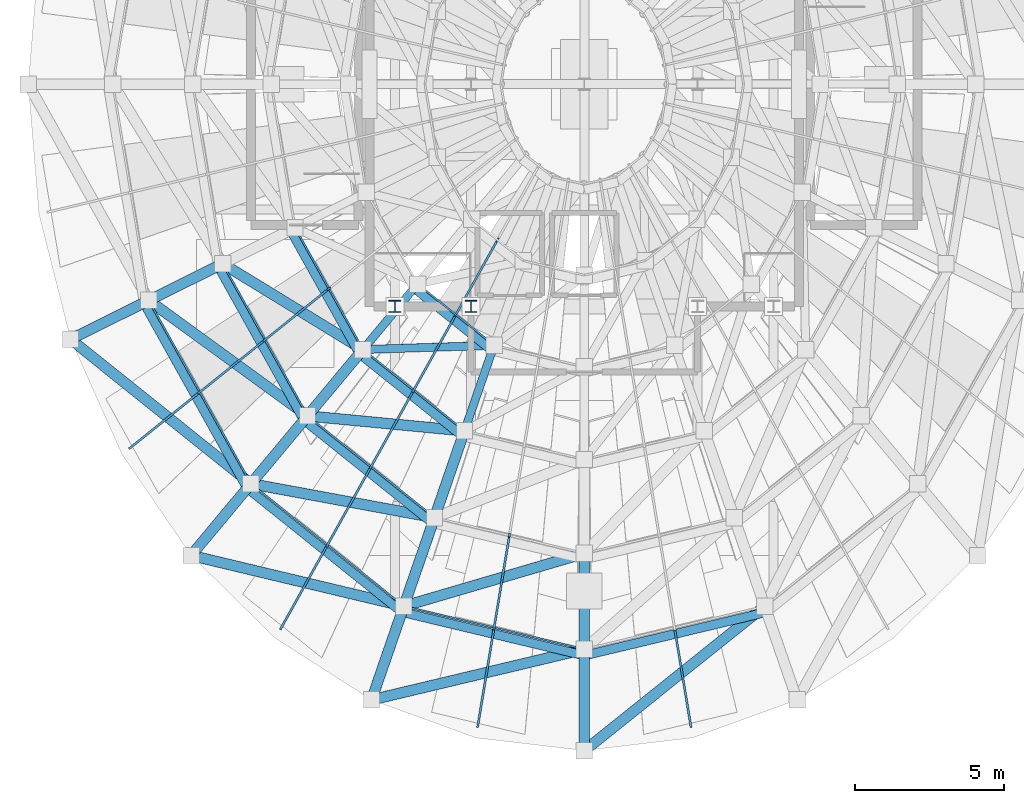
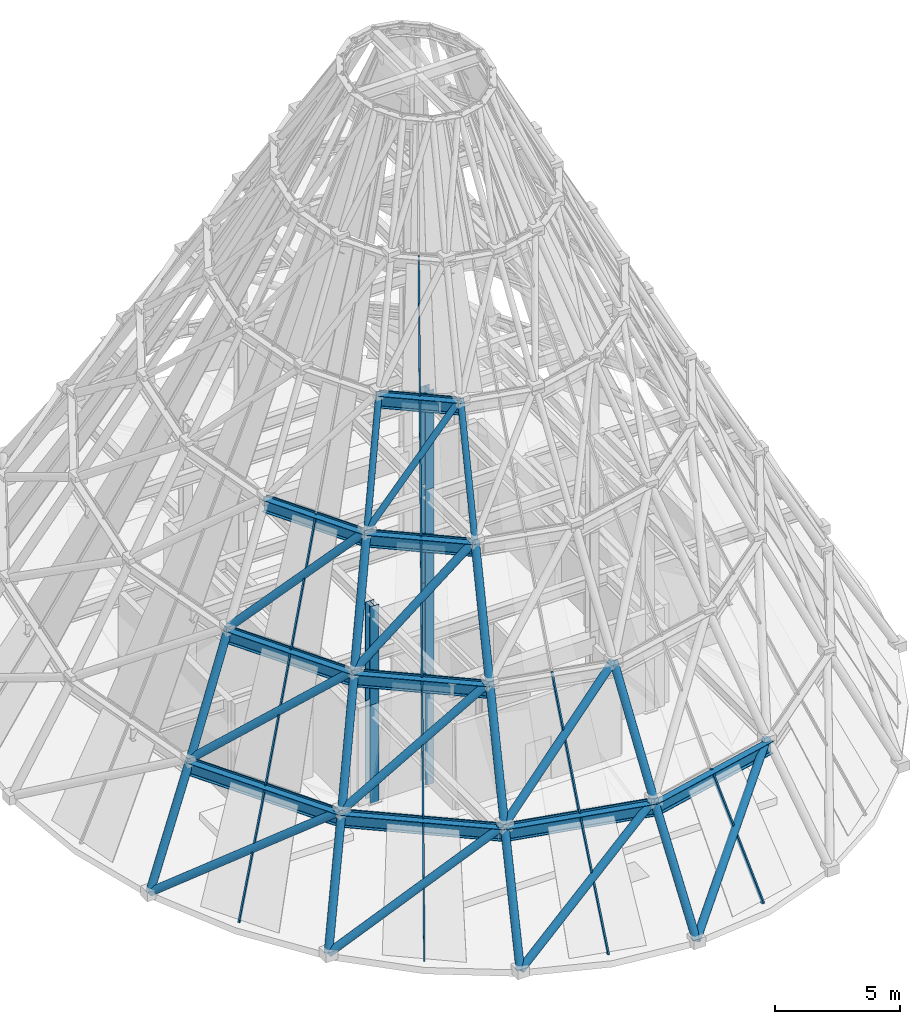
# One storey, part 1 of 16: 47 members, 9 beams, 5 elements without a shape of their own.
"""IFC4 building model written with IfcOpenShell, lengths in metres."""

from ifc_helpers import new_model, si_unit, direction, frame, origin, origin_2d, place, context, subcontext, project, spatial, hollow_rectangle, hollow_circle, i_section, extrude, material, layer, layer_set, material_profile, profile_set, type_object, element, aggregate, save


model = new_model("IFC4")

# Units and contexts
model_context = context("Model", 3, precision=1e-05, world=origin(), true_north=direction((0.0, 1.0)))
body_context = subcontext(model_context, "Body", "Model", "MODEL_VIEW")
ifc_project = project(units=[si_unit("LENGTHUNIT", "METRE"), si_unit("AREAUNIT", "SQUARE_METRE"), si_unit("VOLUMEUNIT", "CUBIC_METRE"), si_unit("PLANEANGLEUNIT", "RADIAN"), si_unit("MASSUNIT", "GRAM", prefix="KILO")], contexts=[model_context])

# Site, building, storey
site_placement = place(None, origin())
site = spatial("IfcSite", under=ifc_project, at=site_placement, CompositionType="ELEMENT")
building_placement = place(site_placement, origin())
building = spatial("IfcBuilding", under=site, at=building_placement, Name="Veldorina Hangang Commons", CompositionType="ELEMENT")
storey_placement = place(building_placement, frame((0.0, 0.0, 308.39990234375)))
storey = spatial("IfcBuildingStorey", under=building, at=storey_placement, Name="Crown", CompositionType="ELEMENT", Elevation=308.39990234375)

# Beams
ifc_material_1 = material(Name="Steel SM460-TMC", Category="steel")
ifc_material_profile_1 = material_profile(ifc_material_1, i_section(OverallWidth=0.300048828125, OverallDepth=0.587890625, WebThickness=0.011962890625, FlangeThickness=0.02001953125, FilletRadius=0.01806640625, at=origin_2d()), Name="H-588x300x12x20")
ifc_profile_set_1 = profile_set([ifc_material_profile_1], Name="Steel SM460-TMC")
beam_type = type_object("IfcBeamType", Name="BM-FG588", PredefinedType="BEAM", material=ifc_profile_set_1)
beam_1_placement = place(storey_placement, frame((17.22802734375, 16.667236328125, 4.5), z_axis=(0.48700541563, -0.873398949591, 0.0), x_axis=(0.873398949591, 0.48700541563, 0.0)))
element("IfcBeam", 1, at=beam_1_placement, inside=storey, type_object=beam_type, Name="Crown tier 1 ring beam 09", PredefinedType="BEAM", context=body_context, shape_type="SweptSolid", body=[
    extrude(i_section(OverallWidth=0.300048828125, OverallDepth=0.587890625, WebThickness=0.011962890625, FlangeThickness=0.02001953125, FilletRadius=0.01806640625, at=origin_2d()), origin(), (0.0, 0.0, 1.0), 7.1171875),
])
beam_2_placement = place(storey_placement, frame((20.694091796875, 10.451171875, 4.5), z_axis=(0.780592742978, -0.62503997441, 0.0), x_axis=(0.62503997441, 0.780592742978, 0.0)))
element("IfcBeam", 2, at=beam_2_placement, inside=storey, type_object=beam_type, Name="Crown tier 1 ring beam 10", PredefinedType="BEAM", context=body_context, shape_type="SweptSolid", body=[
    extrude(i_section(OverallWidth=0.300048828125, OverallDepth=0.587890625, WebThickness=0.011962890625, FlangeThickness=0.02001953125, FilletRadius=0.01806640625, at=origin_2d()), origin(), (0.0, 0.0, 1.0), 6.645263671875),
])
for number, where, z_axis, x_axis, name in (
    (3, (25.88134765625, 6.297607421875, 4.5), (0.972737457446, -0.231909117718, 0.0), (0.231909117718, 0.972737457446, 0.0), "Crown tier 1 ring beam 11"),
    (4, (32.0, 4.8388671875, 4.5), (0.972737457446, 0.231909117718, 0.0), (-0.231909117718, 0.972737457446, 0.0), "Crown tier 1 ring beam 12"),
):
    element("IfcBeam", number, at=place(storey_placement, frame(where, z_axis=z_axis, x_axis=x_axis)), inside=storey, type_object=beam_type, Name=name, PredefinedType="BEAM", context=body_context, shape_type="SweptSolid", body=[
        extrude(i_section(OverallWidth=0.300048828125, OverallDepth=0.587890625, WebThickness=0.011962890625, FlangeThickness=0.02001953125, FilletRadius=0.01806640625, at=origin_2d()), origin(), (0.0, 0.0, 1.0), 6.2900390625),
    ])
beam_3_placement = place(storey_placement, frame((19.716064453125, 17.90234375, 9.300048828125), z_axis=(0.486955766168, -0.873426632177, 0.0), x_axis=(0.873426632177, 0.486955766168, 0.0)))
element("IfcBeam", 5, at=beam_3_placement, inside=storey, type_object=beam_type, Name="Crown tier 2 ring beam 09", PredefinedType="BEAM", context=body_context, shape_type="SweptSolid", body=[
    extrude(i_section(OverallWidth=0.300048828125, OverallDepth=0.587890625, WebThickness=0.011962890625, FlangeThickness=0.02001953125, FilletRadius=0.01806640625, at=origin_2d()), origin(), (0.0, 0.0, 1.0), 5.91845703125),
])
beam_4_placement = place(storey_placement, frame((22.59814453125, 12.73291015625, 9.300048828125), z_axis=(0.780592886021, -0.625039795768, 0.0), x_axis=(0.625039795768, 0.780592886021, 0.0)))
element("IfcBeam", 6, at=beam_4_placement, inside=storey, type_object=beam_type, Name="Crown tier 2 ring beam 10", PredefinedType="BEAM", context=body_context, shape_type="SweptSolid", body=[
    extrude(i_section(OverallWidth=0.300048828125, OverallDepth=0.587890625, WebThickness=0.011962890625, FlangeThickness=0.02001953125, FilletRadius=0.01806640625, at=origin_2d()), origin(), (0.0, 0.0, 1.0), 5.526123046875),
])
beam_5_placement = place(storey_placement, frame((22.146728515625, 19.10888671875, 14.10009765625), z_axis=(0.486956666645, -0.873426130139, 0.0), x_axis=(0.873426130139, 0.486956666645, 0.0)))
element("IfcBeam", 7, at=beam_5_placement, inside=storey, type_object=beam_type, Name="Crown tier 3 ring beam 09", PredefinedType="BEAM", context=body_context, shape_type="SweptSolid", body=[
    extrude(i_section(OverallWidth=0.300048828125, OverallDepth=0.587890625, WebThickness=0.011962890625, FlangeThickness=0.02001953125, FilletRadius=0.01806640625, at=origin_2d()), origin(), (0.0, 0.0, 1.0), 4.747314453125),
])
beam_6_placement = place(storey_placement, frame((24.45849609375, 14.96240234375, 14.10009765625), z_axis=(0.780610819839, -0.625017398118, 0.0), x_axis=(0.625017398118, 0.780610819839, 0.0)))
element("IfcBeam", 8, at=beam_6_placement, inside=storey, type_object=beam_type, Name="Crown tier 3 ring beam 10", PredefinedType="BEAM", context=body_context, shape_type="SweptSolid", body=[
    extrude(i_section(OverallWidth=0.300048828125, OverallDepth=0.587890625, WebThickness=0.011962890625, FlangeThickness=0.02001953125, FilletRadius=0.01806640625, at=origin_2d()), origin(), (0.0, 0.0, 1.0), 4.4326171875),
])
beam_7_placement = place(storey_placement, frame((26.29296875, 17.160888671875, 18.900146484375), z_axis=(0.780584702233, -0.62505001611, 0.0), x_axis=(0.62505001611, 0.780584702233, 0.0)))
element("IfcBeam", 9, at=beam_7_placement, inside=storey, type_object=beam_type, Name="Crown tier 4 ring beam 10", PredefinedType="BEAM", context=body_context, shape_type="SweptSolid", body=[
    extrude(i_section(OverallWidth=0.300048828125, OverallDepth=0.587890625, WebThickness=0.011962890625, FlangeThickness=0.02001953125, FilletRadius=0.01806640625, at=origin_2d()), origin(), (0.0, 0.0, 1.0), 3.3544921875),
])

# Members
ifc_material_profile_2 = material_profile(ifc_material_1, i_section(OverallWidth=0.39990234375, OverallDepth=0.39990234375, WebThickness=0.012939453125, FlangeThickness=0.02099609375, FilletRadius=0.01806640625, at=origin_2d()), Name="H-400x400x13x21")
ifc_profile_set_2 = profile_set([ifc_material_profile_2], Name="Steel SM460-TMC")
member_type_1 = type_object("IfcMemberType", Name="CRN-POST-H400", PredefinedType="BRACE", material=ifc_profile_set_2)
for number, where, z_axis, x_axis, name in (
    (10, (25.64990234375, 16.550048828125, 0.0), (0.0, 0.0, 1.0), (1.0, 0.0, 0.0), "Crown tier 1 outer core post SW"),
    (11, (28.199951171875, 16.550048828125, 0.0), (0.0, 0.0, 1.0), (1.0, 0.0, 0.0), "Crown tier 1 inner core post ISW"),
    (12, (25.64990234375, 16.550048828125, 4.800048828125), (0.0, 0.0, 1.0), (1.0, 0.0, 0.0), "Crown tier 2 outer core post SW"),
    (13, (28.199951171875, 16.550048828125, 4.800048828125), (0.0, 0.0, 1.0), (1.0, 0.0, 0.0), "Crown tier 2 inner core post ISW"),
    (14, (28.199951171875, 16.550048828125, 9.60009765625), (0.0, 0.0, 1.0), (1.0, 0.0, 0.0), "Crown tier 3 inner core post ISW"),
    (15, (28.199951171875, 16.550048828125, 14.400146484375), (0.0, 0.0, 1.0), (1.0, 0.0, 0.0), "Crown tier 4 inner core post ISW"),
):
    element("IfcMember", number, at=place(storey_placement, frame(where, z_axis=z_axis, x_axis=x_axis)), inside=storey, type_object=member_type_1, Name=name, PredefinedType="BRACE", context=body_context, shape_type="SweptSolid", body=[
        extrude(i_section(OverallWidth=0.39990234375, OverallDepth=0.39990234375, WebThickness=0.012939453125, FlangeThickness=0.02099609375, FilletRadius=0.01806640625, at=origin_2d()), origin(), (0.0, 0.0, 1.0), 4.800048828125),
    ])
ifc_material_2 = material(Name="Steel SM355-TMC", Category="steel")
ifc_material_profile_3 = material_profile(ifc_material_2, hollow_circle(Radius=0.136474609375, WallThickness=0.011962890625, at=origin_2d()), Name="CHS-273.0x12")
ifc_profile_set_3 = profile_set([ifc_material_profile_3], Name="Steel SM355-TMC")
member_type_2 = type_object("IfcMemberType", Name="CRN-RIB273", PredefinedType="BRACE", material=ifc_profile_set_3)
member_1_placement = place(storey_placement, frame((24.57470703125, 15.1015625, 14.400146484375), z_axis=(0.328028884835, 0.393084160477, 0.859000520079), x_axis=(-0.767780420949, 0.640713059963, 0.0)))
element("IfcMember", 16, at=member_1_placement, inside=storey, type_object=member_type_2, Name="Crown tier 4 CROWN FRAME meridian rib 10", PredefinedType="BRACE", context=body_context, shape_type="SweptSolid", body=[
    extrude(hollow_circle(Radius=0.136474609375, WallThickness=0.011962890625, at=origin_2d()), origin(), (0.0, 0.0, 1.0), 5.587890625),
])
member_2_placement = place(storey_placement, frame((24.57470703125, 15.1015625, 14.400146484375), z_axis=(0.675450014447, 0.021818943687, 0.737082906924), x_axis=(-0.032285984733, 0.999478671703, 0.0)))
element("IfcMember", 17, at=member_2_placement, inside=storey, type_object=member_type_2, Name="Crown tier 4 CROWN FRAME diagrid brace 10", PredefinedType="BRACE", context=body_context, shape_type="SweptSolid", body=[
    extrude(hollow_circle(Radius=0.136474609375, WallThickness=0.011962890625, at=origin_2d()), origin(), (0.0, 0.0, 1.0), 6.51220703125),
])
member_3_placement = place(storey_placement, frame((27.9814453125, 12.373779296875, 14.400146484375), z_axis=(0.174642809834, 0.505273499779, 0.845102703459), x_axis=(-0.945136052308, 0.326676969845, 0.0)))
element("IfcMember", 18, at=member_3_placement, inside=storey, type_object=member_type_2, Name="Crown tier 4 CROWN FRAME meridian rib 11", PredefinedType="BRACE", context=body_context, shape_type="SweptSolid", body=[
    extrude(hollow_circle(Radius=0.136474609375, WallThickness=0.011962890625, at=origin_2d()), origin(), (0.0, 0.0, 1.0), 5.679931640625),
])
ifc_material_profile_4 = material_profile(ifc_material_2, hollow_circle(Radius=0.177734375, WallThickness=0.01611328125, at=origin_2d()), Name="CHS-355.6x16")
ifc_profile_set_4 = profile_set([ifc_material_profile_4], Name="Steel SM355-TMC")
member_type_3 = type_object("IfcMemberType", Name="CRN-RIB355", PredefinedType="BRACE", material=ifc_profile_set_4)
member_4_placement = place(storey_placement, frame((14.76953125, 15.447021484375, 0.0), z_axis=(0.46643736726, 0.231525232008, 0.853716726653), x_axis=(-0.444610084266, 0.895724217027, 0.0)))
element("IfcMember", 19, at=member_4_placement, inside=storey, type_object=member_type_3, Name="Crown tier 1 CROWN FRAME meridian rib 09", PredefinedType="BRACE", context=body_context, shape_type="SweptSolid", body=[
    extrude(hollow_circle(Radius=0.177734375, WallThickness=0.01611328125, at=origin_2d()), origin(), (0.0, 0.0, 1.0), 5.62255859375),
])
member_5_placement = place(storey_placement, frame((14.76953125, 15.447021484375, 0.0), z_axis=(0.663582038521, -0.531486877066, 0.526479418077), x_axis=(0.62514050466, 0.780512235287, 0.0)))
element("IfcMember", 20, at=member_5_placement, inside=storey, type_object=member_type_3, Name="Crown tier 1 CROWN FRAME diagrid brace 09", PredefinedType="BRACE", context=body_context, shape_type="SweptSolid", body=[
    extrude(hollow_circle(Radius=0.177734375, WallThickness=0.01611328125, at=origin_2d()), origin(), (0.0, 0.0, 1.0), 9.1171875),
])
member_6_placement = place(storey_placement, frame((18.8125, 8.1962890625, 0.0), z_axis=(0.350168559507, 0.419597430934, 0.837448491482), x_axis=(-0.767767513013, 0.640728527508, 0.0)))
element("IfcMember", 21, at=member_6_placement, inside=storey, type_object=member_type_3, Name="Crown tier 1 CROWN FRAME meridian rib 10", PredefinedType="BRACE", context=body_context, shape_type="SweptSolid", body=[
    extrude(hollow_circle(Radius=0.177734375, WallThickness=0.01611328125, at=origin_2d()), origin(), (0.0, 0.0, 1.0), 5.731689453125),
])
member_7_placement = place(storey_placement, frame((18.8125, 8.1962890625, 0.0), z_axis=(0.813984788698, -0.194167895853, 0.547473827675), x_axis=(0.232029880817, 0.972708658545, 0.0)))
element("IfcMember", 22, at=member_7_placement, inside=storey, type_object=member_type_3, Name="Crown tier 1 CROWN FRAME diagrid brace 10", PredefinedType="BRACE", context=body_context, shape_type="SweptSolid", body=[
    extrude(hollow_circle(Radius=0.177734375, WallThickness=0.01611328125, at=origin_2d()), origin(), (0.0, 0.0, 1.0), 8.767578125),
])
member_8_placement = place(storey_placement, frame((24.863037109375, 3.351318359375, 0.0), z_axis=(0.186016034255, 0.538187995712, 0.822041188914), x_axis=(-0.945137867095, 0.32667171929, 0.0)))
element("IfcMember", 23, at=member_8_placement, inside=storey, type_object=member_type_3, Name="Crown tier 1 CROWN FRAME meridian rib 11", PredefinedType="BRACE", context=body_context, shape_type="SweptSolid", body=[
    extrude(hollow_circle(Radius=0.177734375, WallThickness=0.01611328125, at=origin_2d()), origin(), (0.0, 0.0, 1.0), 5.839111328125),
])
member_9_placement = place(storey_placement, frame((24.863037109375, 3.351318359375, 0.0), z_axis=(0.814033769308, 0.19392231962, 0.547488042225), x_axis=(-0.231738993525, 0.97277800082, 0.0)))
element("IfcMember", 24, at=member_9_placement, inside=storey, type_object=member_type_3, Name="Crown tier 1 CROWN FRAME diagrid brace 11", PredefinedType="BRACE", context=body_context, shape_type="SweptSolid", body=[
    extrude(hollow_circle(Radius=0.177734375, WallThickness=0.01611328125, at=origin_2d()), origin(), (0.0, 0.0, 1.0), 8.767333984375),
])
member_10_placement = place(storey_placement, frame((32.0, 1.64990234375, 0.0), z_axis=(0.0, 0.578195793628, 0.815898047694), x_axis=(-1.0, 0.0, 0.0)))
element("IfcMember", 25, at=member_10_placement, inside=storey, type_object=member_type_3, Name="Crown tier 1 CROWN FRAME meridian rib 12", PredefinedType="BRACE", context=body_context, shape_type="SweptSolid", body=[
    extrude(hollow_circle(Radius=0.177734375, WallThickness=0.01611328125, at=origin_2d()), origin(), (0.0, 0.0, 1.0), 5.883056640625),
])
member_11_placement = place(storey_placement, frame((32.0, 1.64990234375, 0.0), z_axis=(0.663693099032, 0.531324030742, 0.526503793579), x_axis=(-0.62496005921, 0.780656726348, 0.0)))
element("IfcMember", 26, at=member_11_placement, inside=storey, type_object=member_type_3, Name="Crown tier 1 CROWN FRAME diagrid brace 12", PredefinedType="BRACE", context=body_context, shape_type="SweptSolid", body=[
    extrude(hollow_circle(Radius=0.177734375, WallThickness=0.01611328125, at=origin_2d()), origin(), (0.0, 0.0, 1.0), 9.116943359375),
])
member_12_placement = place(storey_placement, frame((17.39208984375, 16.748779296875, 4.800048828125), z_axis=(0.447377291638, 0.222080325998, 0.866333589174), x_axis=(-0.444635676807, 0.895711513218, 0.0)))
element("IfcMember", 27, at=member_12_placement, inside=storey, type_object=member_type_3, Name="Crown tier 2 CROWN FRAME meridian rib 09", PredefinedType="BRACE", context=body_context, shape_type="SweptSolid", body=[
    extrude(hollow_circle(Radius=0.177734375, WallThickness=0.01611328125, at=origin_2d()), origin(), (0.0, 0.0, 1.0), 5.54052734375),
])
member_13_placement = place(storey_placement, frame((17.39208984375, 16.748779296875, 4.800048828125), z_axis=(0.653453203163, -0.475393946565, 0.589066640412), x_axis=(0.588297350815, 0.808644685276, 0.0)))
element("IfcMember", 28, at=member_13_placement, inside=storey, type_object=member_type_3, Name="Crown tier 2 CROWN FRAME diagrid brace 09", PredefinedType="BRACE", context=body_context, shape_type="SweptSolid", body=[
    extrude(hollow_circle(Radius=0.177734375, WallThickness=0.01611328125, at=origin_2d()), origin(), (0.0, 0.0, 1.0), 8.148681640625),
])
member_14_placement = place(storey_placement, frame((20.819580078125, 10.601318359375, 4.800048828125), z_axis=(0.336386334792, 0.40313549555, 0.85107344336), x_axis=(-0.767808896081, 0.640678936051, 0.0)))
element("IfcMember", 29, at=member_14_placement, inside=storey, type_object=member_type_3, Name="Crown tier 2 CROWN FRAME meridian rib 10", PredefinedType="BRACE", context=body_context, shape_type="SweptSolid", body=[
    extrude(hollow_circle(Radius=0.177734375, WallThickness=0.01611328125, at=origin_2d()), origin(), (0.0, 0.0, 1.0), 5.639892578125),
])
member_15_placement = place(storey_placement, frame((20.819580078125, 10.601318359375, 4.800048828125), z_axis=(0.780397841349, -0.144090587672, 0.608454691627), x_axis=(0.181568365692, 0.983378324237, 0.0)))
element("IfcMember", 30, at=member_15_placement, inside=storey, type_object=member_type_3, Name="Crown tier 2 CROWN FRAME diagrid brace 10", PredefinedType="BRACE", context=body_context, shape_type="SweptSolid", body=[
    extrude(hollow_circle(Radius=0.177734375, WallThickness=0.01611328125, at=origin_2d()), origin(), (0.0, 0.0, 1.0), 7.888916015625),
])
member_16_placement = place(storey_placement, frame((25.94921875, 6.493896484375, 4.800048828125), z_axis=(0.17896971746, 0.517761179755, 0.836596199472), x_axis=(-0.94513004186, 0.326694358651, 0.0)))
element("IfcMember", 31, at=member_16_placement, inside=storey, type_object=member_type_3, Name="Crown tier 2 CROWN FRAME meridian rib 11", PredefinedType="BRACE", context=body_context, shape_type="SweptSolid", body=[
    extrude(hollow_circle(Radius=0.177734375, WallThickness=0.01611328125, at=origin_2d()), origin(), (0.0, 0.0, 1.0), 5.737548828125),
])
member_17_placement = place(storey_placement, frame((25.94921875, 6.493896484375, 4.800048828125), z_axis=(0.763560157241, 0.223762807539, 0.605727737714), x_axis=(-0.28122494162, 0.959641877062, 0.0)))
element("IfcMember", 32, at=member_17_placement, inside=storey, type_object=member_type_3, Name="Crown tier 2 CROWN FRAME diagrid brace 11", PredefinedType="BRACE", context=body_context, shape_type="SweptSolid", body=[
    extrude(hollow_circle(Radius=0.177734375, WallThickness=0.01611328125, at=origin_2d()), origin(), (0.0, 0.0, 1.0), 7.92431640625),
])
member_18_placement = place(storey_placement, frame((32.0, 5.051513671875, 4.800048828125), z_axis=(0.0, 0.556561346257, 0.830806516496), x_axis=(-1.0, 0.0, 0.0)))
element("IfcMember", 33, at=member_18_placement, inside=storey, type_object=member_type_3, Name="Crown tier 2 CROWN FRAME meridian rib 12", PredefinedType="BRACE", context=body_context, shape_type="SweptSolid", body=[
    extrude(hollow_circle(Radius=0.177734375, WallThickness=0.01611328125, at=origin_2d()), origin(), (0.0, 0.0, 1.0), 5.777587890625),
])
member_19_placement = place(storey_placement, frame((19.870849609375, 17.979248046875, 9.60009765625), z_axis=(0.643412007407, -0.393621079115, 0.656569444005), x_axis=(0.521860057708, 0.853031113248, 0.0)))
element("IfcMember", 34, at=member_19_placement, inside=storey, type_object=member_type_3, Name="Crown tier 3 CROWN FRAME diagrid brace 09", PredefinedType="BRACE", context=body_context, shape_type="SweptSolid", body=[
    extrude(hollow_circle(Radius=0.177734375, WallThickness=0.01611328125, at=origin_2d()), origin(), (0.0, 0.0, 1.0), 7.310791015625),
])
member_20_placement = place(storey_placement, frame((22.716796875, 12.875, 9.60009765625), z_axis=(0.331295255321, 0.397031895995, 0.855925888944), x_axis=(-0.767807072832, 0.64068112108, 0.0)))
element("IfcMember", 35, at=member_20_placement, inside=storey, type_object=member_type_3, Name="Crown tier 3 CROWN FRAME meridian rib 10", PredefinedType="BRACE", context=body_context, shape_type="SweptSolid", body=[
    extrude(hollow_circle(Radius=0.177734375, WallThickness=0.01611328125, at=origin_2d()), origin(), (0.0, 0.0, 1.0), 5.60791015625),
])
member_21_placement = place(storey_placement, frame((22.716796875, 12.875, 9.60009765625), z_axis=(0.737138875835, -0.07017928548, 0.672087156269), x_axis=(0.094776414096, 0.995498584294, 0.0)))
element("IfcMember", 36, at=member_21_placement, inside=storey, type_object=member_type_3, Name="Crown tier 3 CROWN FRAME diagrid brace 10", PredefinedType="BRACE", context=body_context, shape_type="SweptSolid", body=[
    extrude(hollow_circle(Radius=0.177734375, WallThickness=0.01611328125, at=origin_2d()), origin(), (0.0, 0.0, 1.0), 7.14208984375),
])
member_22_placement = place(storey_placement, frame((26.97607421875, 9.464599609375, 9.60009765625), z_axis=(0.176314249131, 0.510189556253, 0.841795641616), x_axis=(-0.94515192212, 0.326631051971, 0.0)))
element("IfcMember", 37, at=member_22_placement, inside=storey, type_object=member_type_3, Name="Crown tier 3 CROWN FRAME meridian rib 11", PredefinedType="BRACE", context=body_context, shape_type="SweptSolid", body=[
    extrude(hollow_circle(Radius=0.177734375, WallThickness=0.01611328125, at=origin_2d()), origin(), (0.0, 0.0, 1.0), 5.7021484375),
])

# Curtain wall, members
ifc_material_3 = material(Name="Glass Low-Iron Laminated", Category="glass")
ifc_layer = layer(ifc_material_3, 0.179931640625)
ifc_layer_set = layer_set([ifc_layer], Name="Glass Low-Iron Laminated")
curtain_wall_type = type_object("IfcCurtainWallType", Name="CW-SYS-CRN", PredefinedType="NOTDEFINED", material=ifc_layer_set)
curtain_wall_1_placement = place(storey_placement, origin())
curtain_wall_1 = element("IfcCurtainWall", 38, at=curtain_wall_1_placement, inside=storey, type_object=curtain_wall_type, Name="Crown glass-point sloped pyramidal curtain wall tier 1", PredefinedType="NOTDEFINED")
ifc_material_4 = material(Name="Aluminium Anodized AA6063-T6", Category="aluminium")
ifc_material_profile_5 = material_profile(ifc_material_4, hollow_rectangle(XDim=0.070068359375, YDim=0.179931640625, WallThickness=0.00390625, at=origin_2d()), Name="ALU-RHS-180x70x4")
ifc_profile_set_5 = profile_set([ifc_material_profile_5], Name="Aluminium Anodized AA6063-T6")
member_type_4 = type_object("IfcMemberType", Name="CW-MUL-180", PredefinedType="MULLION", material=ifc_profile_set_5)
member_23_placement = place(storey_placement, frame((16.791015625, 11.821533203125, 0.0), z_axis=(0.410251211856, 0.32851251982, 0.850748768728), x_axis=(-0.625056433501, 0.780579563491, 0.0)))
member_23 = element("IfcMember", 39, at=member_23_placement, type_object=member_type_4, Name="CW-CRN-T1 sloped mid-facet mullion 10", PredefinedType="MULLION", context=body_context, shape_type="SweptSolid", body=[
    extrude(hollow_rectangle(XDim=0.070068359375, YDim=0.179931640625, WallThickness=0.00390625, at=origin_2d()), origin(), (0.0, 0.0, 1.0), 5.64208984375),
])
member_24_placement = place(storey_placement, frame((21.837646484375, 5.773681640625, 0.0), z_axis=(0.268755836906, 0.48194504718, 0.833965989491), x_axis=(-0.873380223306, 0.487038997964, 0.0)))
member_24 = element("IfcMember", 40, at=member_24_placement, type_object=member_type_4, Name="CW-CRN-T1 sloped mid-facet mullion 11", PredefinedType="MULLION", context=body_context, shape_type="SweptSolid", body=[
    extrude(hollow_rectangle(XDim=0.070068359375, YDim=0.179931640625, WallThickness=0.00390625, at=origin_2d()), origin(), (0.0, 0.0, 1.0), 5.755615234375),
])
member_25_placement = place(storey_placement, frame((28.431396484375, 2.500732421875, 0.0), z_axis=(0.093103638593, 0.560797736822, 0.82270141051), x_axis=(-0.986497177914, 0.163778258533, 0.0)))
member_25 = element("IfcMember", 41, at=member_25_placement, type_object=member_type_4, Name="CW-CRN-T1 sloped mid-facet mullion 12", PredefinedType="MULLION", context=body_context, shape_type="SweptSolid", body=[
    extrude(hollow_rectangle(XDim=0.070068359375, YDim=0.179931640625, WallThickness=0.00390625, at=origin_2d()), origin(), (0.0, 0.0, 1.0), 5.83447265625),
])
member_26_placement = place(storey_placement, frame((35.568603515625, 2.500732421875, 0.0), z_axis=(-0.093103638593, 0.560797736822, 0.82270141051), x_axis=(-0.986497177914, -0.163778258533, 0.0)))
member_26 = element("IfcMember", 42, at=member_26_placement, type_object=member_type_4, Name="CW-CRN-T1 sloped mid-facet mullion 13", PredefinedType="MULLION", context=body_context, shape_type="SweptSolid", body=[
    extrude(hollow_rectangle(XDim=0.070068359375, YDim=0.179931640625, WallThickness=0.00390625, at=origin_2d()), origin(), (0.0, 0.0, 1.0), 5.83447265625),
])

curtain_wall_2_placement = place(storey_placement, origin())
curtain_wall_2 = element("IfcCurtainWall", 43, at=curtain_wall_2_placement, inside=storey, type_object=curtain_wall_type, Name="Crown glass-point sloped pyramidal curtain wall tier 2", PredefinedType="NOTDEFINED")
member_27_placement = place(storey_placement, frame((19.105712890625, 13.675048828125, 4.800048828125), z_axis=(0.39362812705, 0.315183601842, 0.863548605884), x_axis=(-0.625034893689, 0.78059681121, 0.0)))
member_27 = element("IfcMember", 44, at=member_27_placement, type_object=member_type_4, Name="CW-CRN-T2 sloped mid-facet mullion 10", PredefinedType="MULLION", context=body_context, shape_type="SweptSolid", body=[
    extrude(hollow_rectangle(XDim=0.070068359375, YDim=0.179931640625, WallThickness=0.00390625, at=origin_2d()), origin(), (0.0, 0.0, 1.0), 5.55859375),
])
member_28_placement = place(storey_placement, frame((23.384521484375, 8.547607421875, 4.800048828125), z_axis=(0.258213776392, 0.46317203945, 0.847819147904), x_axis=(-0.873439034538, 0.486933520046, 0.0)))
member_28 = element("IfcMember", 45, at=member_28_placement, type_object=member_type_4, Name="CW-CRN-T2 sloped mid-facet mullion 11", PredefinedType="MULLION", context=body_context, shape_type="SweptSolid", body=[
    extrude(hollow_rectangle(XDim=0.070068359375, YDim=0.179931640625, WallThickness=0.00390625, at=origin_2d()), origin(), (0.0, 0.0, 1.0), 5.66162109375),
])
member_29_placement = place(storey_placement, frame((28.974609375, 5.772705078125, 4.800048828125), z_axis=(0.089551725769, 0.539482079778, 0.83722134111), x_axis=(-0.986501044241, 0.163754968509, 0.0)))
member_29 = element("IfcMember", 46, at=member_29_placement, type_object=member_type_4, Name="CW-CRN-T2 sloped mid-facet mullion 12", PredefinedType="MULLION", context=body_context, shape_type="SweptSolid", body=[
    extrude(hollow_rectangle(XDim=0.070068359375, YDim=0.179931640625, WallThickness=0.00390625, at=origin_2d()), origin(), (0.0, 0.0, 1.0), 5.7333984375),
])

curtain_wall_3_placement = place(storey_placement, origin())
curtain_wall_3 = element("IfcCurtainWall", 47, at=curtain_wall_3_placement, inside=storey, type_object=curtain_wall_type, Name="Crown glass-point sloped pyramidal curtain wall tier 3", PredefinedType="NOTDEFINED")
member_30_placement = place(storey_placement, frame((21.293701171875, 15.427001953125, 9.60009765625), z_axis=(0.387520273629, 0.310298790368, 0.86806837186), x_axis=(-0.625042053082, 0.780591078529, 0.0)))
member_30 = element("IfcMember", 48, at=member_30_placement, type_object=member_type_4, Name="CW-CRN-T3 sloped mid-facet mullion 10", PredefinedType="MULLION", context=body_context, shape_type="SweptSolid", body=[
    extrude(hollow_rectangle(XDim=0.070068359375, YDim=0.179931640625, WallThickness=0.00390625, at=origin_2d()), origin(), (0.0, 0.0, 1.0), 5.529541015625),
])
member_31_placement = place(storey_placement, frame((24.846435546875, 11.169921875, 9.60009765625), z_axis=(0.254344545809, 0.456163299502, 0.852774235191), x_axis=(-0.87340802986, 0.486989130655, 0.0)))
member_31 = element("IfcMember", 49, at=member_31_placement, type_object=member_type_4, Name="CW-CRN-T3 sloped mid-facet mullion 11", PredefinedType="MULLION", context=body_context, shape_type="SweptSolid", body=[
    extrude(hollow_rectangle(XDim=0.070068359375, YDim=0.179931640625, WallThickness=0.00390625, at=origin_2d()), origin(), (0.0, 0.0, 1.0), 5.628662109375),
])

# Curtain wall, member
curtain_wall_4_placement = place(storey_placement, origin())
curtain_wall_4 = element("IfcCurtainWall", 50, at=curtain_wall_4_placement, inside=storey, type_object=curtain_wall_type, Name="Crown glass-point sloped pyramidal curtain wall tier 4", PredefinedType="NOTDEFINED")
member_32_placement = place(storey_placement, frame((26.278076171875, 13.737548828125, 14.400146484375), z_axis=(0.251830581641, 0.451727907638, 0.855875724397), x_axis=(-0.873441670834, 0.486928791151, 0.0)))
member_32 = element("IfcMember", 51, at=member_32_placement, type_object=member_type_4, Name="CW-CRN-T4 sloped mid-facet mullion 11", PredefinedType="MULLION", context=body_context, shape_type="SweptSolid", body=[
    extrude(hollow_rectangle(XDim=0.070068359375, YDim=0.179931640625, WallThickness=0.00390625, at=origin_2d()), origin(), (0.0, 0.0, 1.0), 5.6083984375),
])

curtain_wall_5_placement = place(storey_placement, origin())
curtain_wall_5 = element("IfcCurtainWall", 52, at=curtain_wall_5_placement, inside=storey, type_object=curtain_wall_type, Name="Crown glass-point sloped pyramidal curtain wall tier 5", PredefinedType="NOTDEFINED")
member_33_placement = place(storey_placement, frame((27.6904296875, 16.27099609375, 19.2001953125), z_axis=(0.249992590984, 0.448345364414, 0.85819003645), x_axis=(-0.873402131722, 0.486999708731, 0.0)))
member_33 = element("IfcMember", 53, at=member_33_placement, type_object=member_type_4, Name="CW-CRN-T5 sloped mid-facet mullion 11", PredefinedType="MULLION", context=body_context, shape_type="SweptSolid", body=[
    extrude(hollow_rectangle(XDim=0.070068359375, YDim=0.179931640625, WallThickness=0.00390625, at=origin_2d()), origin(), (0.0, 0.0, 1.0), 5.593017578125),
])
aggregate(curtain_wall_5, [member_33])

# Member
ifc_material_profile_6 = material_profile(ifc_material_4, hollow_rectangle(XDim=0.06005859375, YDim=0.139892578125, WallThickness=0.00341796875, at=origin_2d()), Name="ALU-RHS-140x60x3.5")
ifc_profile_set_6 = profile_set([ifc_material_profile_6], Name="Aluminium Anodized AA6063-T6")
member_type_5 = type_object("IfcMemberType", Name="CW-TRN-140", PredefinedType="USERDEFINED", material=ifc_profile_set_6)
member_34_placement = place(storey_placement, frame((17.39208984375, 16.748779296875, 4.800048828125), z_axis=(0.4869706204, -0.873418350429, 0.0), x_axis=(0.873418350429, 0.4869706204, 0.0)))
member_34 = element("IfcMember", 54, at=member_34_placement, type_object=member_type_5, Name="CW-CRN-T1 horizontal ring transom 10", ObjectType="TRANSOM", PredefinedType="USERDEFINED", context=body_context, shape_type="SweptSolid", body=[
    extrude(hollow_rectangle(XDim=0.06005859375, YDim=0.139892578125, WallThickness=0.00341796875, at=origin_2d()), origin(), (0.0, 0.0, 1.0), 7.038330078125),
])

member_35_placement = place(storey_placement, frame((20.819580078125, 10.601318359375, 4.800048828125), z_axis=(0.78059326765, -0.625039319163, 0.0), x_axis=(0.625039319163, 0.78059326765, 0.0)))
member_35 = element("IfcMember", 55, at=member_35_placement, type_object=member_type_5, Name="CW-CRN-T1 horizontal ring transom 11", ObjectType="TRANSOM", PredefinedType="USERDEFINED", context=body_context, shape_type="SweptSolid", body=[
    extrude(hollow_rectangle(XDim=0.06005859375, YDim=0.139892578125, WallThickness=0.00341796875, at=origin_2d()), origin(), (0.0, 0.0, 1.0), 6.571533203125),
])

member_36_placement = place(storey_placement, frame((25.94921875, 6.493896484375, 4.800048828125), z_axis=(0.972743852943, -0.231882290316, 0.0), x_axis=(0.231882290316, 0.972743852943, 0.0)))
member_36 = element("IfcMember", 56, at=member_36_placement, type_object=member_type_5, Name="CW-CRN-T1 horizontal ring transom 12", ObjectType="TRANSOM", PredefinedType="USERDEFINED", context=body_context, shape_type="SweptSolid", body=[
    extrude(hollow_rectangle(XDim=0.06005859375, YDim=0.139892578125, WallThickness=0.00341796875, at=origin_2d()), origin(), (0.0, 0.0, 1.0), 6.22021484375),
])

aggregate(curtain_wall_1, [member_23, member_34, member_24, member_35, member_25, member_36, member_26])

member_37_placement = place(storey_placement, frame((19.870849609375, 17.979248046875, 9.60009765625), z_axis=(0.486983133901, -0.873411373464, 0.0), x_axis=(0.873411373464, 0.486983133901, 0.0)))
member_37 = element("IfcMember", 57, at=member_37_placement, type_object=member_type_5, Name="CW-CRN-T2 horizontal ring transom 10", ObjectType="TRANSOM", PredefinedType="USERDEFINED", context=body_context, shape_type="SweptSolid", body=[
    extrude(hollow_rectangle(XDim=0.06005859375, YDim=0.139892578125, WallThickness=0.00341796875, at=origin_2d()), origin(), (0.0, 0.0, 1.0), 5.843994140625),
])

member_38_placement = place(storey_placement, frame((22.716796875, 12.875, 9.60009765625), z_axis=(0.780602457603, -0.625027841927, 0.0), x_axis=(0.625027841927, 0.780602457603, 0.0)))
member_38 = element("IfcMember", 58, at=member_38_placement, type_object=member_type_5, Name="CW-CRN-T2 horizontal ring transom 11", ObjectType="TRANSOM", PredefinedType="USERDEFINED", context=body_context, shape_type="SweptSolid", body=[
    extrude(hollow_rectangle(XDim=0.06005859375, YDim=0.139892578125, WallThickness=0.00341796875, at=origin_2d()), origin(), (0.0, 0.0, 1.0), 5.456298828125),
])

aggregate(curtain_wall_2, [member_27, member_37, member_28, member_38, member_29])

member_39_placement = place(storey_placement, frame((22.29833984375, 19.18408203125, 14.400146484375), z_axis=(0.486999359603, -0.873402326392, 0.0), x_axis=(0.873402326392, 0.486999359603, 0.0)))
member_39 = element("IfcMember", 59, at=member_39_placement, type_object=member_type_5, Name="CW-CRN-T3 horizontal ring transom 10", ObjectType="TRANSOM", PredefinedType="USERDEFINED", context=body_context, shape_type="SweptSolid", body=[
    extrude(hollow_rectangle(XDim=0.06005859375, YDim=0.139892578125, WallThickness=0.00341796875, at=origin_2d()), origin(), (0.0, 0.0, 1.0), 4.67431640625),
])

member_40_placement = place(storey_placement, frame((24.57470703125, 15.1015625, 14.400146484375), z_axis=(0.780601312418, -0.625029272155, 0.0), x_axis=(0.625029272155, 0.780601312418, 0.0)))
member_40 = element("IfcMember", 60, at=member_40_placement, type_object=member_type_5, Name="CW-CRN-T3 horizontal ring transom 11", ObjectType="TRANSOM", PredefinedType="USERDEFINED", context=body_context, shape_type="SweptSolid", body=[
    extrude(hollow_rectangle(XDim=0.06005859375, YDim=0.139892578125, WallThickness=0.00341796875, at=origin_2d()), origin(), (0.0, 0.0, 1.0), 4.3642578125),
])

aggregate(curtain_wall_3, [member_30, member_39, member_31, member_40])

member_41_placement = place(storey_placement, frame((26.40771484375, 17.298095703125, 19.2001953125), z_axis=(0.780586111303, -0.62504825641, 0.0), x_axis=(0.62504825641, 0.780586111303, 0.0)))
member_41 = element("IfcMember", 61, at=member_41_placement, type_object=member_type_5, Name="CW-CRN-T4 horizontal ring transom 11", ObjectType="TRANSOM", PredefinedType="USERDEFINED", context=body_context, shape_type="SweptSolid", body=[
    extrude(hollow_rectangle(XDim=0.06005859375, YDim=0.139892578125, WallThickness=0.00341796875, at=origin_2d()), origin(), (0.0, 0.0, 1.0), 3.286865234375),
])

aggregate(curtain_wall_4, [member_32, member_41])

save(model, "model.ifc")
